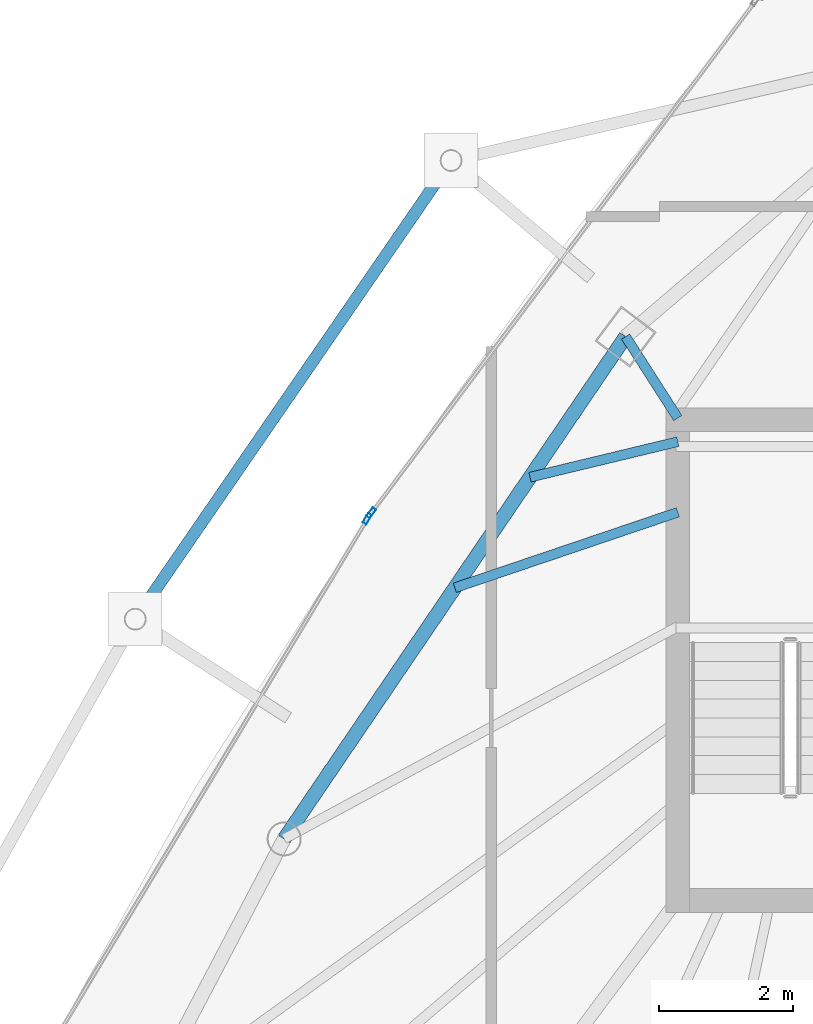
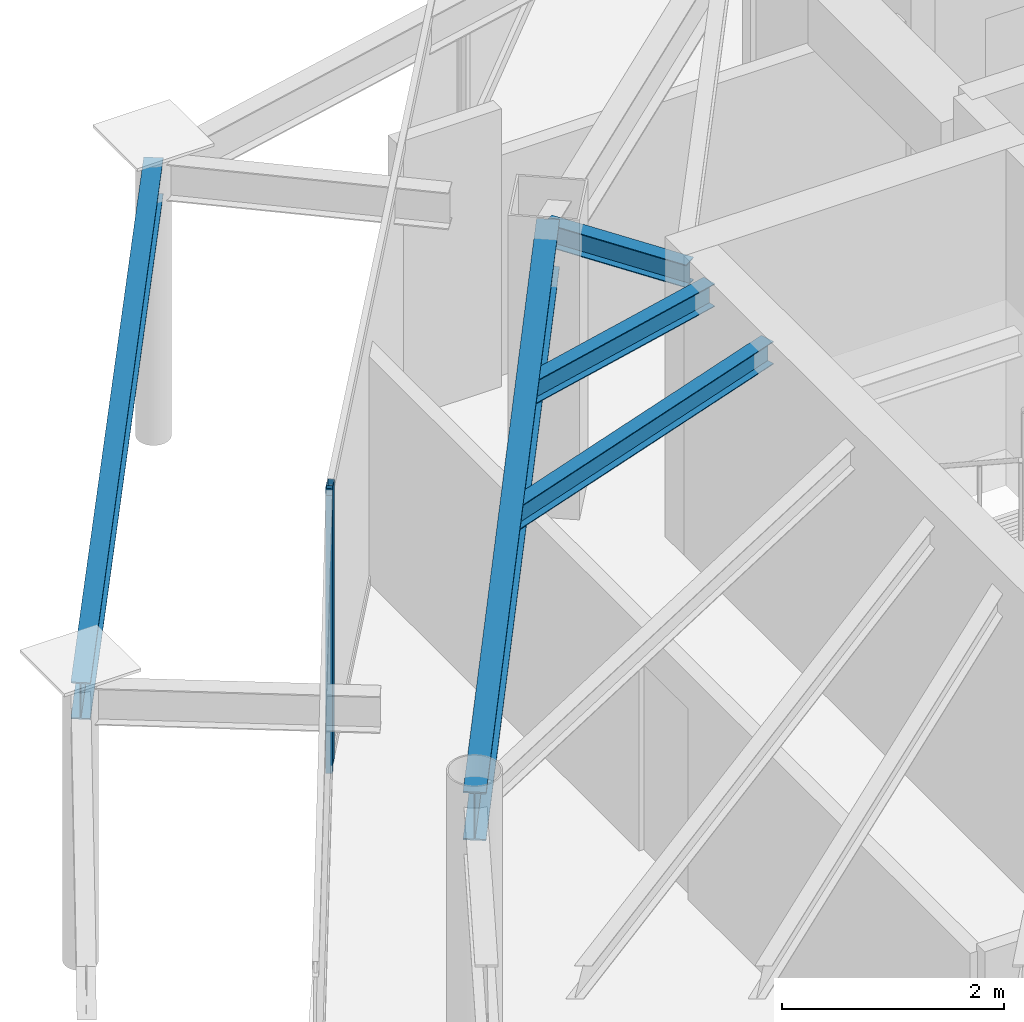
# One storey, part 12 of 29: 5 beams, 2 members, 2 elements without a shape of their own.
"""IFC4 building model written with IfcOpenShell, lengths in metres."""

from ifc_helpers import new_model, si_unit, direction, frame, origin, origin_2d, place, context, subcontext, project, spatial, hollow_rectangle, i_section, extrude, material, layer, layer_set, material_profile, profile_set, type_object, element, aggregate, save


model = new_model("IFC4")

# Units and contexts
model_context = context("Model", 3, precision=1e-05, world=origin(), true_north=direction((0.0, 1.0)))
body_context = subcontext(model_context, "Body", "Model", "MODEL_VIEW")
ifc_project = project(units=[si_unit("LENGTHUNIT", "METRE"), si_unit("AREAUNIT", "SQUARE_METRE"), si_unit("VOLUMEUNIT", "CUBIC_METRE"), si_unit("PLANEANGLEUNIT", "RADIAN"), si_unit("MASSUNIT", "GRAM", prefix="KILO")], contexts=[model_context])

# Site, building, storey
site_placement = place(None, origin())
site = spatial("IfcSite", under=ifc_project, at=site_placement, CompositionType="ELEMENT")
building_placement = place(site_placement, origin())
building = spatial("IfcBuilding", under=site, at=building_placement, Name="Orvanel Arch Residences", CompositionType="ELEMENT")
storey_placement = place(building_placement, frame((0.0, 0.0, 256.85009765625)))
storey = spatial("IfcBuildingStorey", under=building, at=storey_placement, Name="L73", CompositionType="ELEMENT", Elevation=256.85009765625)

# Beams
ifc_material_1 = material(Name="Structural steel AS/NZS 3679.1 Grade 300 (300 MPa)", Category="steel")
ifc_material_profile_1 = material_profile(ifc_material_1, i_section(OverallWidth=0.14599609375, OverallDepth=0.251953125, WebThickness=0.006103515625, FlangeThickness=0.008544921875, at=origin_2d()), Name="250UB31.4")
ifc_profile_set_1 = profile_set([ifc_material_profile_1], Name="Structural steel AS/NZS 3679.1 Grade 300 (300 MPa)")
beam_type_1 = type_object("IfcBeamType", Name="BJ-250UB", PredefinedType="JOIST", material=ifc_profile_set_1)
beam_1_placement = place(storey_placement, frame((26.425048828125, 33.89990234375, 2.933837890625), z_axis=(-0.539395075146, 0.842052820735, 0.0), x_axis=(-0.842052820735, -0.539395075146, 0.0)))
element("IfcBeam", 1, at=beam_1_placement, inside=storey, type_object=beam_type_1, Name="L73 NNW Wing Floor Joist", PredefinedType="JOIST", context=body_context, shape_type="SweptSolid", body=[
    extrude(i_section(OverallWidth=0.14599609375, OverallDepth=0.251953125, WebThickness=0.006103515625, FlangeThickness=0.008544921875, at=origin_2d()), origin(), (0.0, 0.0, 1.0), 1.440673828125),
])
beam_2_placement = place(storey_placement, frame((26.425048828125, 32.5, 2.933837890625), z_axis=(-0.947187956478, -0.320678928373, 0.0), x_axis=(0.320678928373, -0.947187956478, 0.0)))
element("IfcBeam", 2, at=beam_2_placement, inside=storey, type_object=beam_type_1, Name="L73 WNW Wing Floor Joist", PredefinedType="JOIST", context=body_context, shape_type="SweptSolid", body=[
    extrude(i_section(OverallWidth=0.14599609375, OverallDepth=0.251953125, WebThickness=0.006103515625, FlangeThickness=0.008544921875, at=origin_2d()), origin(), (0.0, 0.0, 1.0), 3.502197265625),
])
beam_3_placement = place(storey_placement, frame((26.425048828125, 33.550048828125, 2.933837890625), z_axis=(-0.972256833016, -0.23391590509, 0.0), x_axis=(0.23391590509, -0.972256833016, 0.0)))
element("IfcBeam", 3, at=beam_3_placement, inside=storey, type_object=beam_type_1, Name="L73 JADD3 Wing Floor Joist", PredefinedType="JOIST", context=body_context, shape_type="SweptSolid", body=[
    extrude(i_section(OverallWidth=0.14599609375, OverallDepth=0.251953125, WebThickness=0.006103515625, FlangeThickness=0.008544921875, at=origin_2d()), origin(), (0.0, 0.0, 1.0), 2.26171875),
])

# Curtain wall, member
ifc_material_2 = material(Name="Bronze-anodised aluminium AA6063-T6", Category="aluminium")
ifc_layer = layer(ifc_material_2, 0.175048828125)
ifc_layer_set = layer_set([ifc_layer], Name="Bronze-anodised aluminium AA6063-T6")
curtain_wall_type = type_object("IfcCurtainWallType", Name="CW4-HI-SYS", PredefinedType="NOTDEFINED", material=ifc_layer_set)
curtain_wall_1_placement = place(storey_placement, origin())
curtain_wall_1 = element("IfcCurtainWall", 4, at=curtain_wall_1_placement, inside=storey, type_object=curtain_wall_type, Name="L73 CW4-HI-SYS Unitised Curtain Wall", PredefinedType="NOTDEFINED")
ifc_material_profile_2 = material_profile(ifc_material_2, hollow_rectangle(XDim=0.06494140625, YDim=0.159912109375, WallThickness=0.00390625, at=origin_2d()), Name="ALU160x65x4")
ifc_profile_set_2 = profile_set([ifc_material_profile_2], Name="Bronze-anodised aluminium AA6063-T6")
member_type = type_object("IfcMemberType", Name="MUL-160x65", PredefinedType="MULLION", material=ifc_profile_set_2)
member_1_placement = place(storey_placement, frame((21.863525390625, 32.489990234375, 0.0), z_axis=(0.0, 0.0, 1.0), x_axis=(0.79988739913, -0.600150105151, 0.0)))
member_1 = element("IfcMember", 5, at=member_1_placement, type_object=member_type, Name="CW-S4 mullion 2", PredefinedType="MULLION", context=body_context, shape_type="SweptSolid", body=[
    extrude(hollow_rectangle(XDim=0.06494140625, YDim=0.159912109375, WallThickness=0.00390625, at=origin_2d()), origin(), (0.0, 0.0, 1.0), 3.059814453125),
])
aggregate(curtain_wall_1, [member_1])

curtain_wall_2_placement = place(storey_placement, origin())
curtain_wall_2 = element("IfcCurtainWall", 6, at=curtain_wall_2_placement, inside=storey, type_object=curtain_wall_type, Name="L73 CW4-HI-SYS Unitised Curtain Wall", PredefinedType="NOTDEFINED")
member_2_placement = place(storey_placement, frame((21.80517578125, 32.403076171875, 0.0), z_axis=(0.0, 0.0, 1.0), x_axis=(0.857576137808, -0.514357043174, 0.0)))
member_2 = element("IfcMember", 7, at=member_2_placement, type_object=member_type, Name="CW-S4 mullion 1", PredefinedType="MULLION", context=body_context, shape_type="SweptSolid", body=[
    extrude(hollow_rectangle(XDim=0.06494140625, YDim=0.159912109375, WallThickness=0.00390625, at=origin_2d()), origin(), (0.0, 0.0, 1.0), 3.059814453125),
])
aggregate(curtain_wall_2, [member_2])

# Beams
ifc_material_profile_3 = material_profile(ifc_material_1, i_section(OverallWidth=0.177978515625, OverallDepth=0.406005859375, WebThickness=0.0078125, FlangeThickness=0.0126953125, at=origin_2d()), Name="410UB59.7")
ifc_profile_set_3 = profile_set([ifc_material_profile_3], Name="Structural steel AS/NZS 3679.1 Grade 300 (300 MPa)")
beam_type_2 = type_object("IfcBeamType", Name="OB-410UB-EXT", PredefinedType="SPANDREL", material=ifc_profile_set_3)
beam_4_placement = place(storey_placement, frame((23.052001953125, 37.73193359375, 2.85693359375), z_axis=(-0.567172861341, -0.823598776929, 0.0), x_axis=(0.823598776929, -0.567172861341, 0.0)))
element("IfcBeam", 8, at=beam_4_placement, inside=storey, type_object=beam_type_2, Name="L73 Outer Perimeter Floor Ring Beam 01", PredefinedType="SPANDREL", context=body_context, shape_type="SweptSolid", body=[
    extrude(i_section(OverallWidth=0.177978515625, OverallDepth=0.406005859375, WebThickness=0.0078125, FlangeThickness=0.0126953125, at=origin_2d()), origin(), (0.0, 0.0, 1.0), 8.283203125),
])
ifc_material_profile_4 = material_profile(ifc_material_1, i_section(OverallWidth=0.208984375, OverallDepth=0.532958984375, WebThickness=0.01025390625, FlangeThickness=0.015625, at=origin_2d()), Name="530UB92.4")
ifc_profile_set_4 = profile_set([ifc_material_profile_4], Name="Structural steel AS/NZS 3679.1 Grade 300 (300 MPa)")
beam_type_3 = type_object("IfcBeamType", Name="SP-530UB", PredefinedType="SPANDREL", material=ifc_profile_set_4)
beam_5_placement = place(storey_placement, frame((25.64794921875, 35.113037109375, 2.7939453125), z_axis=(-0.562154793153, -0.827032035978, 0.0), x_axis=(0.827032035978, -0.562154793153, 0.0)))
element("IfcBeam", 9, at=beam_5_placement, inside=storey, type_object=beam_type_3, Name="L73 Perimeter Spandrel Beam 11", PredefinedType="SPANDREL", context=body_context, shape_type="SweptSolid", body=[
    extrude(i_section(OverallWidth=0.208984375, OverallDepth=0.532958984375, WebThickness=0.01025390625, FlangeThickness=0.015625, at=origin_2d()), origin(), (0.0, 0.0, 1.0), 9.03466796875),
])

save(model, "model.ifc")
